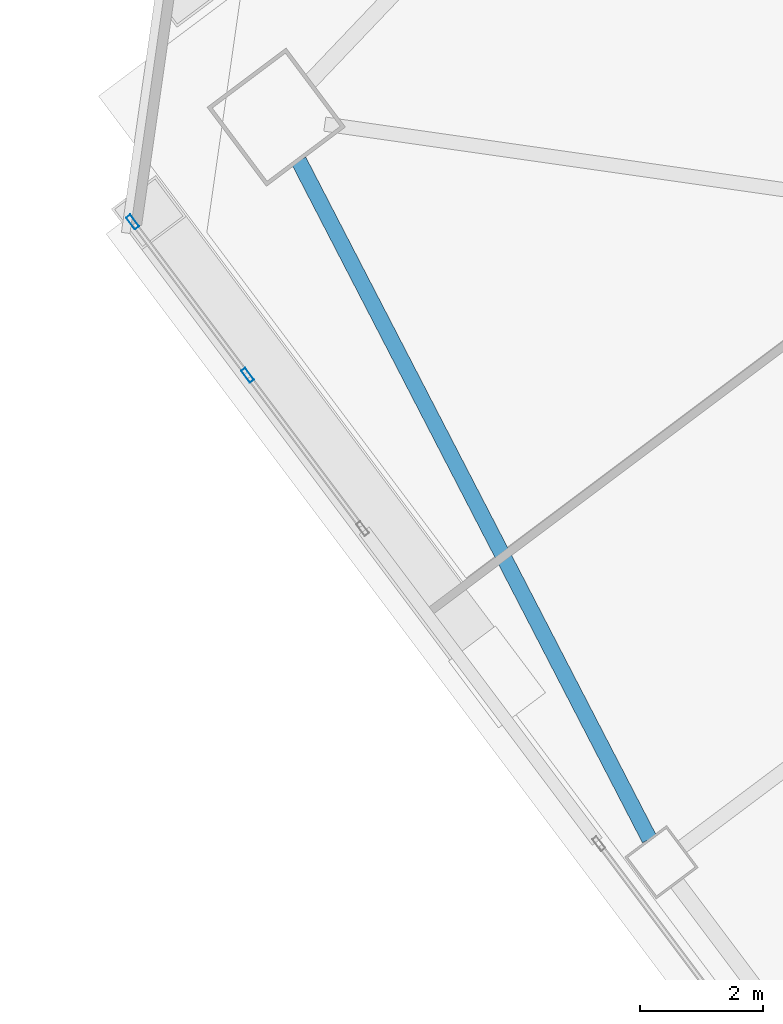
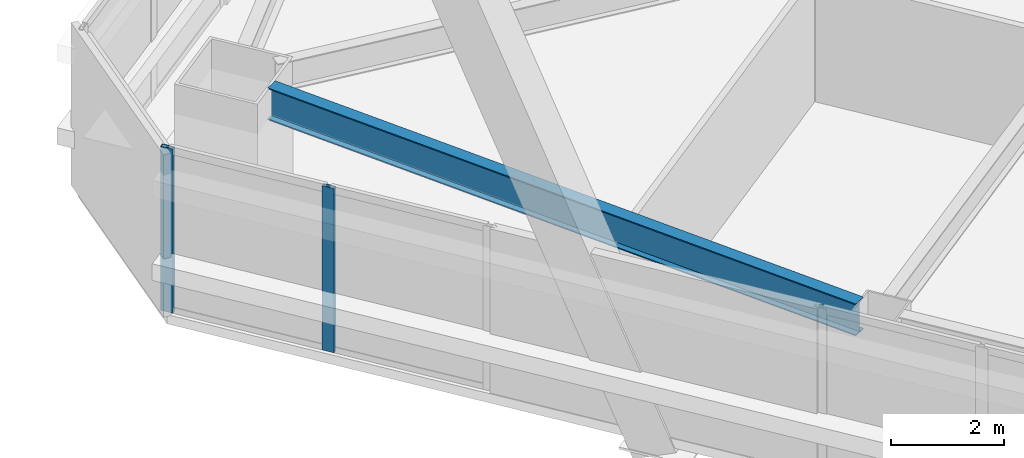
# One storey, part 38 of 75: 2 members, 1 beam, 1 element without a shape of its own.
"""IFC4 building model written with IfcOpenShell, lengths in metres."""

from ifc_helpers import new_model, si_unit, direction, frame, origin, origin_2d, place, context, subcontext, project, spatial, hollow_rectangle, i_section, extrude, material, material_profile, profile_set, type_object, element, aggregate, save


model = new_model("IFC4")

# Units and contexts
model_context = context("Model", 3, precision=1e-05, world=origin(), true_north=direction((0.0, 1.0)))
body_context = subcontext(model_context, "Body", "Model", "MODEL_VIEW")
ifc_project = project(units=[si_unit("LENGTHUNIT", "METRE"), si_unit("AREAUNIT", "SQUARE_METRE"), si_unit("VOLUMEUNIT", "CUBIC_METRE"), si_unit("PLANEANGLEUNIT", "RADIAN"), si_unit("MASSUNIT", "GRAM", prefix="KILO")], contexts=[model_context])

# Site, building, storey
site_placement = place(None, origin())
site = spatial("IfcSite", under=ifc_project, at=site_placement, CompositionType="ELEMENT")
building_placement = place(site_placement, origin())
building = spatial("IfcBuilding", under=site, at=building_placement, Name="Tashvorn Skyway Center", CompositionType="ELEMENT")
storey_placement = place(building_placement, frame((0.0, 0.0, 45.89990234375)))
storey = spatial("IfcBuildingStorey", under=building, at=storey_placement, Name="L11", CompositionType="ELEMENT", Elevation=45.89990234375)

# Beam
ifc_material_1 = material(Name="Steel ASTM A992 Grade 50", Category="steel")
ifc_material_profile_1 = material_profile(ifc_material_1, i_section(OverallWidth=0.256103515625, OverallDepth=0.693115234375, WebThickness=0.014404296875, FlangeThickness=0.023681640625, at=origin_2d()), Name="W27X114")
ifc_profile_set_1 = profile_set([ifc_material_profile_1], Name="Steel ASTM A992 Grade 50")
beam_type = type_object("IfcBeamType", Name="BM-SPANDREL-W27X114", PredefinedType="SPANDREL", material=ifc_profile_set_1)
beam_placement = place(storey_placement, frame((88.045166015625, 35.0537109375, 3.003662109375), z_axis=(0.459233413919, -0.888315637339, 0.0), x_axis=(0.888315637339, 0.459233413919, 0.0)))
element("IfcBeam", 1, at=beam_placement, inside=storey, type_object=beam_type, Name="Tower 2 L11 Spandrel Beam 10", PredefinedType="SPANDREL", context=body_context, shape_type="SweptSolid", body=[
    extrude(i_section(OverallWidth=0.256103515625, OverallDepth=0.693115234375, WebThickness=0.014404296875, FlangeThickness=0.023681640625, at=origin_2d()), origin(), (0.0, 0.0, 1.0), 12.37255859375),
])

# Curtain wall, members
ifc_material_2 = material(Name="Thermally broken bronze-anodized aluminium 6063-T6", Category="aluminium")
curtain_wall_type = type_object("IfcCurtainWallType", Name="CW-CW-Z1", PredefinedType="NOTDEFINED", material=ifc_material_2)
curtain_wall_placement = place(storey_placement, origin())
curtain_wall = element("IfcCurtainWall", 2, at=curtain_wall_placement, inside=storey, type_object=curtain_wall_type, Name="Tower 2 L11 West Unitised Curtain Wall Glazing Group 3", PredefinedType="NOTDEFINED")
ifc_material_profile_2 = material_profile(ifc_material_2, hollow_rectangle(XDim=0.0849609375, YDim=0.239990234375, WallThickness=0.0048828125, at=origin_2d()), Name="ALU-MULL-85x240")
ifc_profile_set_2 = profile_set([ifc_material_profile_2], Name="Thermally broken bronze-anodized aluminium 6063-T6")
member_type = type_object("IfcMemberType", Name="CWM-CW-Z1", PredefinedType="MULLION", material=ifc_profile_set_2)
member_1_placement = place(storey_placement, frame((87.216064453125, 31.57861328125, 0.0), z_axis=(0.0, 0.0, 1.0), x_axis=(-0.800001906763, -0.599997457641, 0.0)))
member_1 = element("IfcMember", 3, at=member_1_placement, type_object=member_type, Name="CW-Z1 mullion 2", PredefinedType="MULLION", context=body_context, shape_type="SweptSolid", body=[
    extrude(hollow_rectangle(XDim=0.0849609375, YDim=0.239990234375, WallThickness=0.0048828125, at=origin_2d()), origin(), (0.0, 0.0, 1.0), 3.550048828125),
])
member_2_placement = place(storey_placement, frame((85.353515625, 34.06201171875, 0.0), z_axis=(0.0, 0.0, 1.0), x_axis=(-0.800001906763, -0.599997457641, 0.0)))
member_2 = element("IfcMember", 4, at=member_2_placement, type_object=member_type, Name="CW-Z1 mullion 3", PredefinedType="MULLION", context=body_context, shape_type="SweptSolid", body=[
    extrude(hollow_rectangle(XDim=0.0849609375, YDim=0.239990234375, WallThickness=0.0048828125, at=origin_2d()), origin(), (0.0, 0.0, 1.0), 3.550048828125),
])
aggregate(curtain_wall, [member_1, member_2])

save(model, "model.ifc")
